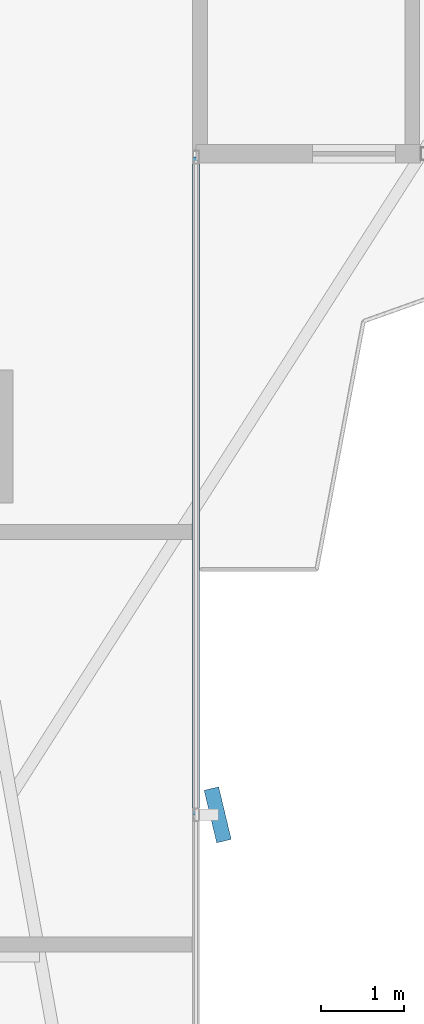
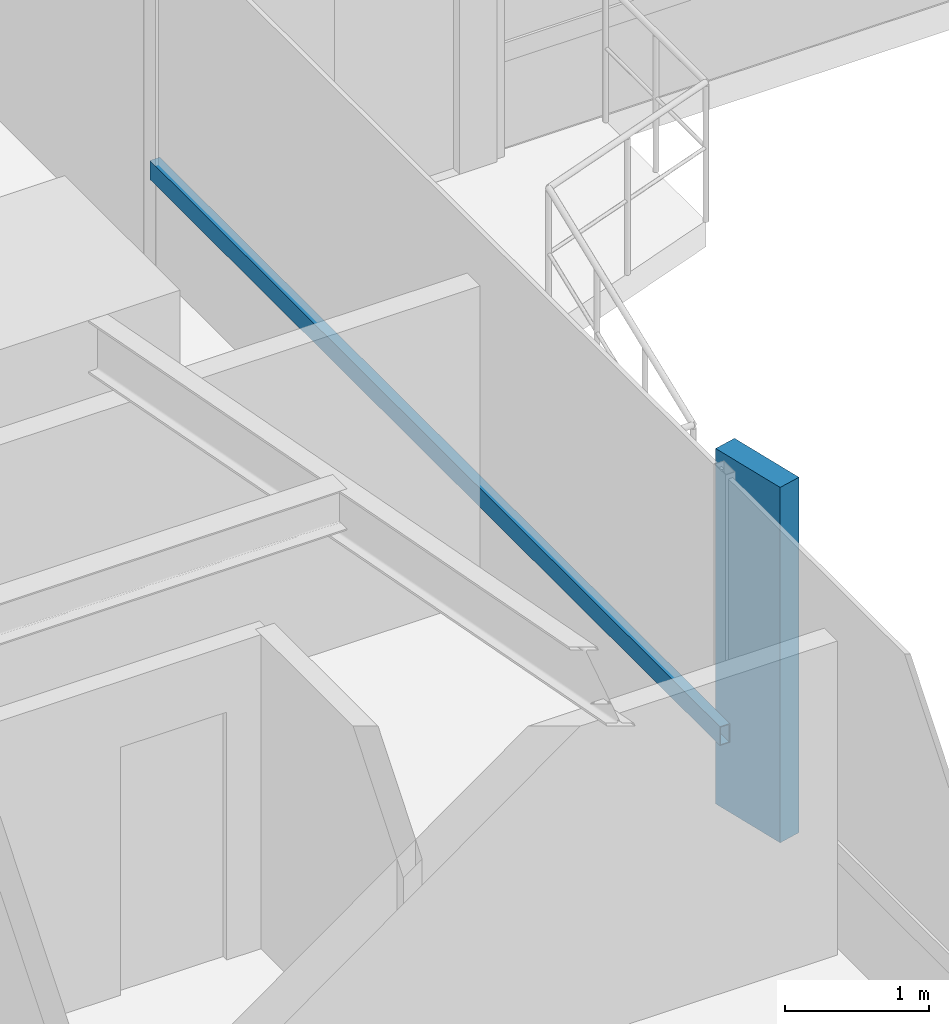
# One storey, part 5 of 25: 2 members, 1 element without a shape of its own.
"""IFC4 building model written with IfcOpenShell, lengths in metres."""

from ifc_helpers import new_model, si_unit, direction, frame, origin, origin_2d, place, context, subcontext, project, spatial, rectangle, hollow_rectangle, extrude, source, transform, mapped, material, material_profile, profile_set, type_object, element, aggregate, save


model = new_model("IFC4")

# Units and contexts
model_context = context("Model", 3, precision=1e-05, world=origin(), true_north=direction((0.0, 1.0)))
body_context = subcontext(model_context, "Body", "Model", "MODEL_VIEW")
ifc_project = project(units=[si_unit("LENGTHUNIT", "METRE"), si_unit("AREAUNIT", "SQUARE_METRE"), si_unit("VOLUMEUNIT", "CUBIC_METRE"), si_unit("PLANEANGLEUNIT", "RADIAN"), si_unit("MASSUNIT", "GRAM", prefix="KILO")], contexts=[model_context])

# Site, building, storey
site_placement = place(None, origin())
site = spatial("IfcSite", under=ifc_project, at=site_placement, CompositionType="ELEMENT")
building_placement = place(site_placement, origin())
building = spatial("IfcBuilding", under=site, at=building_placement, Name="Sahyath Konkavel Grand Hotel", CompositionType="ELEMENT")
storey_placement = place(building_placement, frame((0.0, 0.0, 36.5)))
storey = spatial("IfcBuildingStorey", under=building, at=storey_placement, Name="L09", CompositionType="ELEMENT", Elevation=36.5)

# Curtain wall, members
ifc_material_1 = material(Name="Anodised Bronze Aluminium & Low-E Glazing", Category="aluminium")
curtain_wall_type = type_object("IfcCurtainWallType", Name="CW-ZONE1", PredefinedType="NOTDEFINED", material=ifc_material_1)
curtain_wall_placement = place(storey_placement, origin())
curtain_wall = element("IfcCurtainWall", 1, at=curtain_wall_placement, inside=storey, type_object=curtain_wall_type, Name="L09 Unitised Curtain Wall F31", PredefinedType="NOTDEFINED")
ifc_material_2 = material(Name="Warm Buff Sandstone Cladding on Concrete C50/60", Category="masonry")
ifc_material_profile_1 = material_profile(ifc_material_2, rectangle(XDim=0.179931640625, YDim=0.64990234375, at=origin_2d()), Name="FIN 180x650")
ifc_profile_set_1 = profile_set([ifc_material_profile_1], Name="Warm Buff Sandstone Cladding on Concrete C50/60")
member_type_1 = type_object("IfcMemberType", Name="FIN-SANDSTONE-650", PredefinedType="MULLION", material=ifc_profile_set_1)
shared_shape_1 = source(origin(), body_context, "Body", "SweptSolid", [
    extrude(rectangle(XDim=0.179931640625, YDim=0.64990234375, at=origin_2d()), origin(), (0.0, 0.0, 1.0), 3.010009765625),
])
member_1_placement = place(storey_placement, frame((7.06005859375, -14.75, 0.050048828125), z_axis=(0.0, 0.0, 1.0), x_axis=(0.972369920398, 0.233445363856, 0.0)))
member_1 = element("IfcMember", 2, at=member_1_placement, type_object=member_type_1, Name="L09 Sandstone Vertical Solar Fin FIN F31-1", PredefinedType="MULLION", context=body_context, shape_type="MappedRepresentation", body=[
    mapped(shared_shape_1, transform((0.0, 0.0, 0.0), scale=1.0)),
])
ifc_material_3 = material(Name="Anodised Bronze Aluminium", Category="aluminium")
ifc_material_profile_2 = material_profile(ifc_material_3, hollow_rectangle(XDim=0.080078125, YDim=0.159912109375, WallThickness=0.006103515625, at=origin_2d()), Name="RHS 160x80x6")
ifc_profile_set_2 = profile_set([ifc_material_profile_2], Name="Anodised Bronze Aluminium")
member_type_2 = type_object("IfcMemberType", Name="CW-TRN-160", PredefinedType="USERDEFINED", material=ifc_profile_set_2)
shared_shape_2 = source(origin(), body_context, "Body", "SweptSolid", [
    extrude(hollow_rectangle(XDim=0.080078125, YDim=0.159912109375, WallThickness=0.006103515625, at=origin_2d()), origin(), (0.0, 0.0, 1.0), 7.909912109375),
])
member_2_placement = place(storey_placement, frame((6.800048828125, -14.75, 0.85009765625), z_axis=(0.0, 1.0, 0.0), x_axis=(-1.0, 0.0, 0.0)))
member_2 = element("IfcMember", 3, at=member_2_placement, type_object=member_type_2, Name="L09 Curtain Wall Transom F31-1-spandrel", ObjectType="TRANSOM", PredefinedType="USERDEFINED", context=body_context, shape_type="MappedRepresentation", body=[
    mapped(shared_shape_2, transform((0.0, 0.0, 0.0), scale=1.0)),
])
aggregate(curtain_wall, [member_1, member_2])

save(model, "model.ifc")
